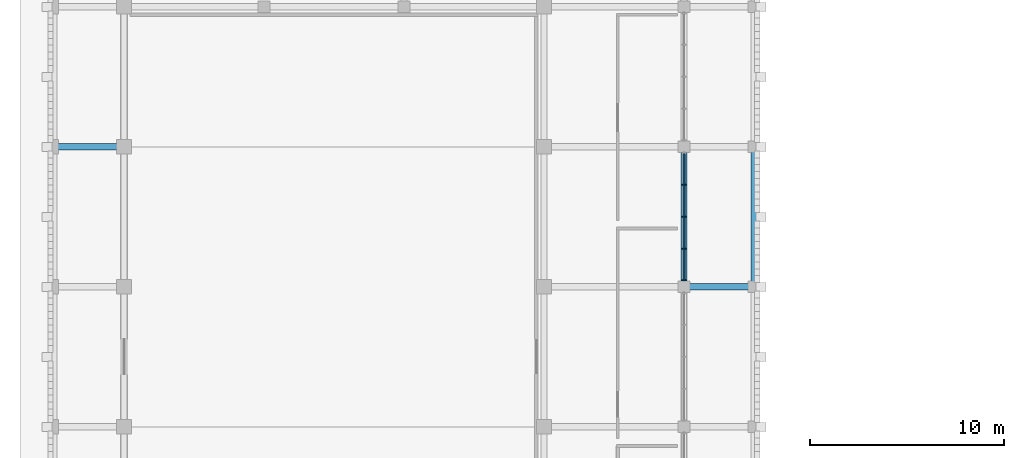
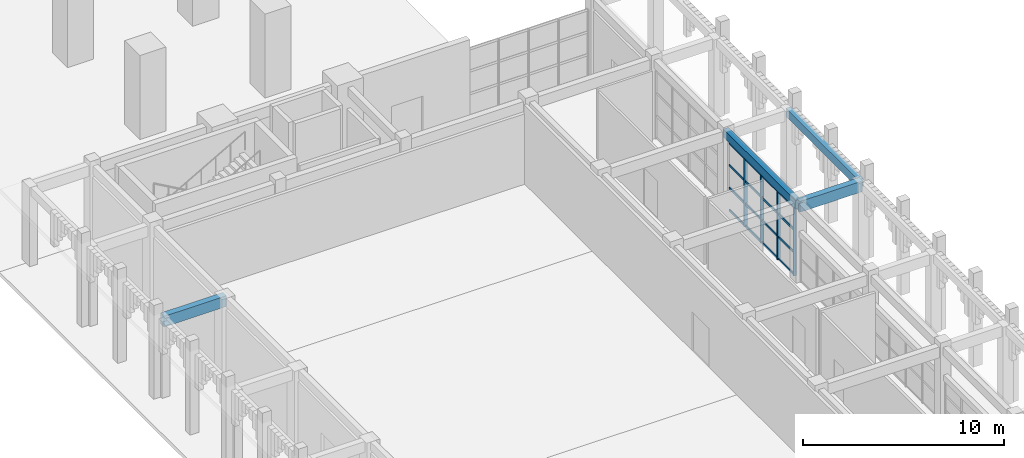
# One storey, part 4 of 72: 20 members, 4 beams, 1 element without a shape of its own.
"""IFC4 building model written with IfcOpenShell, lengths in metres."""

from ifc_helpers import new_model, si_unit, direction, frame, origin, origin_2d, place, context, subcontext, project, spatial, rectangle, extrude, material, material_profile, profile_set, type_object, element, aggregate, save


model = new_model("IFC4")

# Units and contexts
model_context = context("Model", 3, precision=1e-05, world=origin(), true_north=direction((0.0, 1.0)))
body_context = subcontext(model_context, "Body", "Model", "MODEL_VIEW")
ifc_project = project(units=[si_unit("LENGTHUNIT", "METRE"), si_unit("AREAUNIT", "SQUARE_METRE"), si_unit("VOLUMEUNIT", "CUBIC_METRE"), si_unit("PLANEANGLEUNIT", "RADIAN"), si_unit("MASSUNIT", "GRAM", prefix="KILO")], contexts=[model_context])

# Site, building, storey
site_placement = place(None, origin())
site = spatial("IfcSite", under=ifc_project, at=site_placement, CompositionType="ELEMENT")
building_placement = place(site_placement, origin())
building = spatial("IfcBuilding", under=site, at=building_placement, Name="Nzembalo Square Collegiate School", CompositionType="ELEMENT")
storey_placement = place(building_placement, origin())
storey = spatial("IfcBuildingStorey", under=building, at=storey_placement, Name="L00", CompositionType="ELEMENT", Elevation=0.0)

# Beams
ifc_material_1 = material(Name="Concrete C35/45", Category="concrete")
ifc_material_profile_1 = material_profile(ifc_material_1, rectangle(XDim=0.35009765625, YDim=0.64990234375, at=origin_2d()), Name="RC 350x650")
ifc_profile_set_1 = profile_set([ifc_material_profile_1], Name="Concrete C35/45")
beam_type_1 = type_object("IfcBeamType", Name="B01", PredefinedType="BEAM", material=ifc_profile_set_1)
beam_1_placement = place(storey_placement, frame((37.199951171875, 30.0, 4.465087890625), z_axis=(1.0, 0.0, 0.0), x_axis=(0.0, 1.0, 0.0)))
element("IfcBeam", 1, at=beam_1_placement, inside=storey, type_object=beam_type_1, Name="Beam B01 L00", PredefinedType="BEAM", context=body_context, shape_type="SweptSolid", body=[
    extrude(rectangle(XDim=0.35009765625, YDim=0.64990234375, at=origin_2d()), origin(), (0.0, 0.0, 1.0), 3.60009765625),
])
beam_2_placement = place(storey_placement, frame((4.800048828125, 37.199951171875, 4.465087890625), z_axis=(1.0, 0.0, 0.0), x_axis=(0.0, 1.0, 0.0)))
element("IfcBeam", 2, at=beam_2_placement, inside=storey, type_object=beam_type_1, Name="Beam B01 L00", PredefinedType="BEAM", context=body_context, shape_type="SweptSolid", body=[
    extrude(rectangle(XDim=0.35009765625, YDim=0.64990234375, at=origin_2d()), origin(), (0.0, 0.0, 1.0), 3.599853515625),
])
ifc_material_2 = material(Name="Concrete C35/45", Category="concrete")
ifc_material_profile_2 = material_profile(ifc_material_2, rectangle(XDim=0.300048828125, YDim=0.5, at=origin_2d()), Name="RC 300x500")
ifc_profile_set_2 = profile_set([ifc_material_profile_2], Name="Concrete C35/45")
beam_type_2 = type_object("IfcBeamType", Name="B02", PredefinedType="BEAM", material=ifc_profile_set_2)
beam_3_placement = place(storey_placement, frame((40.800048828125, 30.0, 4.5400390625), z_axis=(0.0, 1.0, 0.0), x_axis=(-1.0, 0.0, 0.0)))
element("IfcBeam", 3, at=beam_3_placement, inside=storey, type_object=beam_type_2, Name="Beam B02 L00", PredefinedType="BEAM", context=body_context, shape_type="SweptSolid", body=[
    extrude(rectangle(XDim=0.300048828125, YDim=0.5, at=origin_2d()), origin(), (0.0, 0.0, 1.0), 7.199951171875),
])
ifc_material_3 = material(Name="Concrete C35/45", Category="concrete")
ifc_material_profile_3 = material_profile(ifc_material_3, rectangle(XDim=0.300048828125, YDim=0.5, at=origin_2d()), Name="RC 300x500")
ifc_profile_set_3 = profile_set([ifc_material_profile_3], Name="Concrete C35/45")
beam_type_3 = type_object("IfcBeamType", Name="SP01", PredefinedType="SPANDREL", material=ifc_profile_set_3)
beam_4_placement = place(storey_placement, frame((37.199951171875, 30.0, 4.5400390625), z_axis=(0.0, 1.0, 0.0), x_axis=(-1.0, 0.0, 0.0)))
element("IfcBeam", 4, at=beam_4_placement, inside=storey, type_object=beam_type_3, Name="Beam SP01 L00", PredefinedType="SPANDREL", context=body_context, shape_type="SweptSolid", body=[
    extrude(rectangle(XDim=0.300048828125, YDim=0.5, at=origin_2d()), origin(), (0.0, 0.0, 1.0), 7.199951171875),
])

# Curtain wall, members
ifc_material_4 = material(Name="Aluminium 6060-T66", Category="aluminium")
curtain_wall_type = type_object("IfcCurtainWallType", Name="CW-05", PredefinedType="USERDEFINED", material=ifc_material_4)
curtain_wall_placement = place(storey_placement, origin())
curtain_wall = element("IfcCurtainWall", 5, at=curtain_wall_placement, inside=storey, type_object=curtain_wall_type, Name="Curtain wall CW-05 cw:L00:004", ObjectType="LANCET", PredefinedType="USERDEFINED")
ifc_material_5 = material(Name="Aluminium 6060-T66", Category="aluminium")
ifc_material_profile_4 = material_profile(ifc_material_5, rectangle(XDim=0.06005859375, YDim=0.179931640625, at=origin_2d()), Name="ALU M60x180")
ifc_profile_set_4 = profile_set([ifc_material_profile_4], Name="Aluminium 6060-T66")
member_type_1 = type_object("IfcMemberType", Name="ML01", PredefinedType="MULLION", material=ifc_profile_set_4)
member_1_placement = place(storey_placement, frame((37.199951171875, 30.33203125, 0.0), z_axis=(0.0, 0.0, 1.0), x_axis=(0.0, 1.0, 0.0)))
member_1 = element("IfcMember", 6, at=member_1_placement, type_object=member_type_1, Name="ML01 mullion 1", PredefinedType="MULLION", context=body_context, shape_type="SweptSolid", body=[
    extrude(rectangle(XDim=0.06005859375, YDim=0.179931640625, at=origin_2d()), origin(), (0.0, 0.0, 1.0), 4.134033203125),
])
member_2_placement = place(storey_placement, frame((37.199951171875, 31.950927734375, 0.0), z_axis=(0.0, 0.0, 1.0), x_axis=(0.0, 1.0, 0.0)))
member_2 = element("IfcMember", 7, at=member_2_placement, type_object=member_type_1, Name="ML01 mullion 2", PredefinedType="MULLION", context=body_context, shape_type="SweptSolid", body=[
    extrude(rectangle(XDim=0.06005859375, YDim=0.179931640625, at=origin_2d()), origin(), (0.0, 0.0, 1.0), 4.134033203125),
])
member_3_placement = place(storey_placement, frame((37.199951171875, 33.60009765625, 0.0), z_axis=(0.0, 0.0, 1.0), x_axis=(0.0, 1.0, 0.0)))
member_3 = element("IfcMember", 8, at=member_3_placement, type_object=member_type_1, Name="ML01 mullion 3", PredefinedType="MULLION", context=body_context, shape_type="SweptSolid", body=[
    extrude(rectangle(XDim=0.06005859375, YDim=0.179931640625, at=origin_2d()), origin(), (0.0, 0.0, 1.0), 4.134033203125),
])
member_4_placement = place(storey_placement, frame((37.199951171875, 35.2490234375, 0.0), z_axis=(0.0, 0.0, 1.0), x_axis=(0.0, 1.0, 0.0)))
member_4 = element("IfcMember", 9, at=member_4_placement, type_object=member_type_1, Name="ML01 mullion 4", PredefinedType="MULLION", context=body_context, shape_type="SweptSolid", body=[
    extrude(rectangle(XDim=0.06005859375, YDim=0.179931640625, at=origin_2d()), origin(), (0.0, 0.0, 1.0), 4.134033203125),
])
ifc_material_6 = material(Name="Aluminium 6060-T66", Category="aluminium")
ifc_material_profile_5 = material_profile(ifc_material_6, rectangle(XDim=0.06005859375, YDim=0.139892578125, at=origin_2d()), Name="ALU T60x140")
ifc_profile_set_5 = profile_set([ifc_material_profile_5], Name="Aluminium 6060-T66")
member_type_2 = type_object("IfcMemberType", Name="TR01", PredefinedType="USERDEFINED", material=ifc_profile_set_5)
member_5_placement = place(storey_placement, frame((37.199951171875, 30.362060546875, 0.030029296875), z_axis=(0.0, 1.0, 0.0), x_axis=(-1.0, 0.0, 0.0)))
member_5 = element("IfcMember", 10, at=member_5_placement, type_object=member_type_2, Name="TR01 transom 1-1", ObjectType="TRANSOM", PredefinedType="USERDEFINED", context=body_context, shape_type="SweptSolid", body=[
    extrude(rectangle(XDim=0.06005859375, YDim=0.139892578125, at=origin_2d()), origin(), (0.0, 0.0, 1.0), 1.558837890625),
])
member_6_placement = place(storey_placement, frame((37.199951171875, 31.98095703125, 0.030029296875), z_axis=(0.0, 1.0, 0.0), x_axis=(-1.0, 0.0, 0.0)))
member_6 = element("IfcMember", 11, at=member_6_placement, type_object=member_type_2, Name="TR01 transom 1-2", ObjectType="TRANSOM", PredefinedType="USERDEFINED", context=body_context, shape_type="SweptSolid", body=[
    extrude(rectangle(XDim=0.06005859375, YDim=0.139892578125, at=origin_2d()), origin(), (0.0, 0.0, 1.0), 1.589111328125),
])
member_7_placement = place(storey_placement, frame((37.199951171875, 33.6298828125, 0.030029296875), z_axis=(0.0, 1.0, 0.0), x_axis=(-1.0, 0.0, 0.0)))
member_7 = element("IfcMember", 12, at=member_7_placement, type_object=member_type_2, Name="TR01 transom 1-3", ObjectType="TRANSOM", PredefinedType="USERDEFINED", context=body_context, shape_type="SweptSolid", body=[
    extrude(rectangle(XDim=0.06005859375, YDim=0.139892578125, at=origin_2d()), origin(), (0.0, 0.0, 1.0), 1.589111328125),
])
member_8_placement = place(storey_placement, frame((37.199951171875, 35.279052734375, 0.030029296875), z_axis=(0.0, 1.0, 0.0), x_axis=(-1.0, 0.0, 0.0)))
member_8 = element("IfcMember", 13, at=member_8_placement, type_object=member_type_2, Name="TR01 transom 1-4", ObjectType="TRANSOM", PredefinedType="USERDEFINED", context=body_context, shape_type="SweptSolid", body=[
    extrude(rectangle(XDim=0.06005859375, YDim=0.139892578125, at=origin_2d()), origin(), (0.0, 0.0, 1.0), 1.558837890625),
])
member_9_placement = place(storey_placement, frame((37.199951171875, 30.362060546875, 1.3779296875), z_axis=(0.0, 1.0, 0.0), x_axis=(-1.0, 0.0, 0.0)))
member_9 = element("IfcMember", 14, at=member_9_placement, type_object=member_type_2, Name="TR01 transom 2-1", ObjectType="TRANSOM", PredefinedType="USERDEFINED", context=body_context, shape_type="SweptSolid", body=[
    extrude(rectangle(XDim=0.06005859375, YDim=0.139892578125, at=origin_2d()), origin(), (0.0, 0.0, 1.0), 1.558837890625),
])
member_10_placement = place(storey_placement, frame((37.199951171875, 31.98095703125, 1.3779296875), z_axis=(0.0, 1.0, 0.0), x_axis=(-1.0, 0.0, 0.0)))
member_10 = element("IfcMember", 15, at=member_10_placement, type_object=member_type_2, Name="TR01 transom 2-2", ObjectType="TRANSOM", PredefinedType="USERDEFINED", context=body_context, shape_type="SweptSolid", body=[
    extrude(rectangle(XDim=0.06005859375, YDim=0.139892578125, at=origin_2d()), origin(), (0.0, 0.0, 1.0), 1.589111328125),
])
member_11_placement = place(storey_placement, frame((37.199951171875, 33.6298828125, 1.3779296875), z_axis=(0.0, 1.0, 0.0), x_axis=(-1.0, 0.0, 0.0)))
member_11 = element("IfcMember", 16, at=member_11_placement, type_object=member_type_2, Name="TR01 transom 2-3", ObjectType="TRANSOM", PredefinedType="USERDEFINED", context=body_context, shape_type="SweptSolid", body=[
    extrude(rectangle(XDim=0.06005859375, YDim=0.139892578125, at=origin_2d()), origin(), (0.0, 0.0, 1.0), 1.589111328125),
])
member_12_placement = place(storey_placement, frame((37.199951171875, 35.279052734375, 1.3779296875), z_axis=(0.0, 1.0, 0.0), x_axis=(-1.0, 0.0, 0.0)))
member_12 = element("IfcMember", 17, at=member_12_placement, type_object=member_type_2, Name="TR01 transom 2-4", ObjectType="TRANSOM", PredefinedType="USERDEFINED", context=body_context, shape_type="SweptSolid", body=[
    extrude(rectangle(XDim=0.06005859375, YDim=0.139892578125, at=origin_2d()), origin(), (0.0, 0.0, 1.0), 1.558837890625),
])
member_13_placement = place(storey_placement, frame((37.199951171875, 30.362060546875, 2.756103515625), z_axis=(0.0, 1.0, 0.0), x_axis=(-1.0, 0.0, 0.0)))
member_13 = element("IfcMember", 18, at=member_13_placement, type_object=member_type_2, Name="TR01 transom 3-1", ObjectType="TRANSOM", PredefinedType="USERDEFINED", context=body_context, shape_type="SweptSolid", body=[
    extrude(rectangle(XDim=0.06005859375, YDim=0.139892578125, at=origin_2d()), origin(), (0.0, 0.0, 1.0), 1.558837890625),
])
member_14_placement = place(storey_placement, frame((37.199951171875, 31.98095703125, 2.756103515625), z_axis=(0.0, 1.0, 0.0), x_axis=(-1.0, 0.0, 0.0)))
member_14 = element("IfcMember", 19, at=member_14_placement, type_object=member_type_2, Name="TR01 transom 3-2", ObjectType="TRANSOM", PredefinedType="USERDEFINED", context=body_context, shape_type="SweptSolid", body=[
    extrude(rectangle(XDim=0.06005859375, YDim=0.139892578125, at=origin_2d()), origin(), (0.0, 0.0, 1.0), 1.589111328125),
])
member_15_placement = place(storey_placement, frame((37.199951171875, 33.6298828125, 2.756103515625), z_axis=(0.0, 1.0, 0.0), x_axis=(-1.0, 0.0, 0.0)))
member_15 = element("IfcMember", 20, at=member_15_placement, type_object=member_type_2, Name="TR01 transom 3-3", ObjectType="TRANSOM", PredefinedType="USERDEFINED", context=body_context, shape_type="SweptSolid", body=[
    extrude(rectangle(XDim=0.06005859375, YDim=0.139892578125, at=origin_2d()), origin(), (0.0, 0.0, 1.0), 1.589111328125),
])
member_16_placement = place(storey_placement, frame((37.199951171875, 35.279052734375, 2.756103515625), z_axis=(0.0, 1.0, 0.0), x_axis=(-1.0, 0.0, 0.0)))
member_16 = element("IfcMember", 21, at=member_16_placement, type_object=member_type_2, Name="TR01 transom 3-4", ObjectType="TRANSOM", PredefinedType="USERDEFINED", context=body_context, shape_type="SweptSolid", body=[
    extrude(rectangle(XDim=0.06005859375, YDim=0.139892578125, at=origin_2d()), origin(), (0.0, 0.0, 1.0), 1.558837890625),
])
member_17_placement = place(storey_placement, frame((37.199951171875, 30.362060546875, 4.10400390625), z_axis=(0.0, 1.0, 0.0), x_axis=(-1.0, 0.0, 0.0)))
member_17 = element("IfcMember", 22, at=member_17_placement, type_object=member_type_2, Name="TR01 transom 4-1", ObjectType="TRANSOM", PredefinedType="USERDEFINED", context=body_context, shape_type="SweptSolid", body=[
    extrude(rectangle(XDim=0.06005859375, YDim=0.139892578125, at=origin_2d()), origin(), (0.0, 0.0, 1.0), 1.558837890625),
])
member_18_placement = place(storey_placement, frame((37.199951171875, 31.98095703125, 4.10400390625), z_axis=(0.0, 1.0, 0.0), x_axis=(-1.0, 0.0, 0.0)))
member_18 = element("IfcMember", 23, at=member_18_placement, type_object=member_type_2, Name="TR01 transom 4-2", ObjectType="TRANSOM", PredefinedType="USERDEFINED", context=body_context, shape_type="SweptSolid", body=[
    extrude(rectangle(XDim=0.06005859375, YDim=0.139892578125, at=origin_2d()), origin(), (0.0, 0.0, 1.0), 1.589111328125),
])
member_19_placement = place(storey_placement, frame((37.199951171875, 33.6298828125, 4.10400390625), z_axis=(0.0, 1.0, 0.0), x_axis=(-1.0, 0.0, 0.0)))
member_19 = element("IfcMember", 24, at=member_19_placement, type_object=member_type_2, Name="TR01 transom 4-3", ObjectType="TRANSOM", PredefinedType="USERDEFINED", context=body_context, shape_type="SweptSolid", body=[
    extrude(rectangle(XDim=0.06005859375, YDim=0.139892578125, at=origin_2d()), origin(), (0.0, 0.0, 1.0), 1.589111328125),
])
member_20_placement = place(storey_placement, frame((37.199951171875, 35.279052734375, 4.10400390625), z_axis=(0.0, 1.0, 0.0), x_axis=(-1.0, 0.0, 0.0)))
member_20 = element("IfcMember", 25, at=member_20_placement, type_object=member_type_2, Name="TR01 transom 4-4", ObjectType="TRANSOM", PredefinedType="USERDEFINED", context=body_context, shape_type="SweptSolid", body=[
    extrude(rectangle(XDim=0.06005859375, YDim=0.139892578125, at=origin_2d()), origin(), (0.0, 0.0, 1.0), 1.558837890625),
])
aggregate(curtain_wall, [member_1, member_2, member_3, member_4, member_5, member_6, member_7, member_8, member_9, member_10, member_11, member_12, member_13, member_14, member_15, member_16, member_17, member_18, member_19, member_20])

save(model, "model.ifc")
